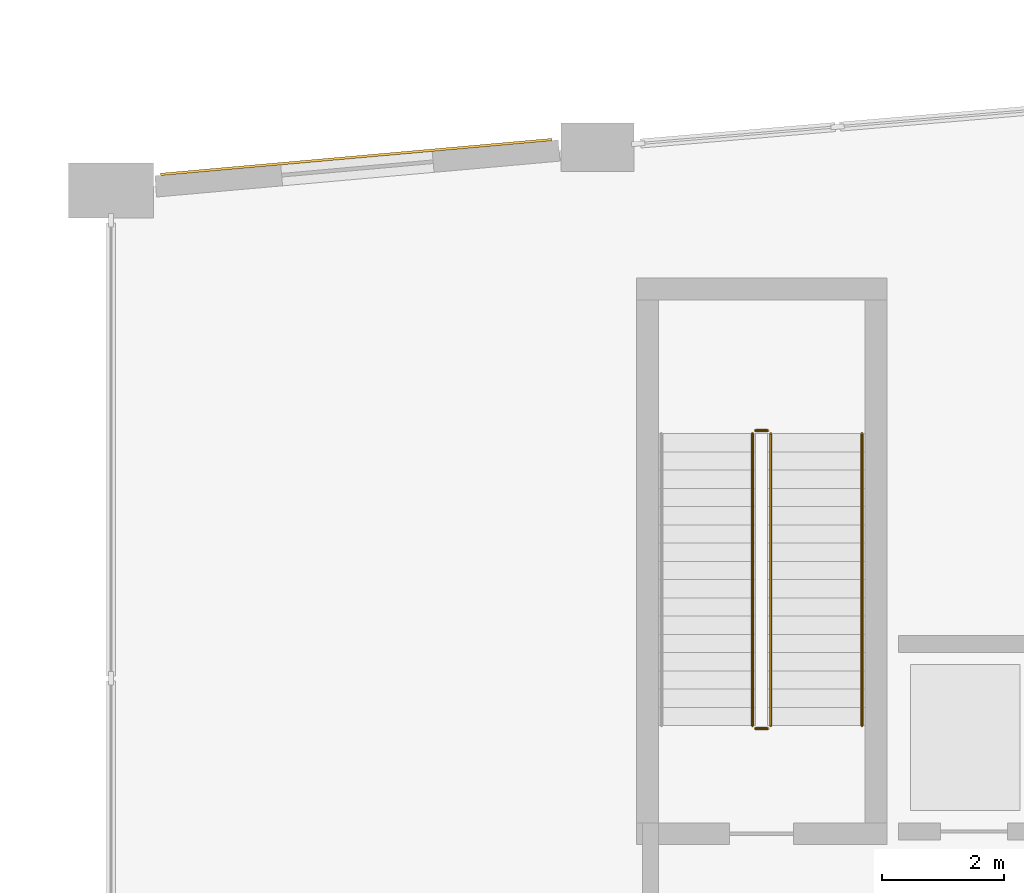
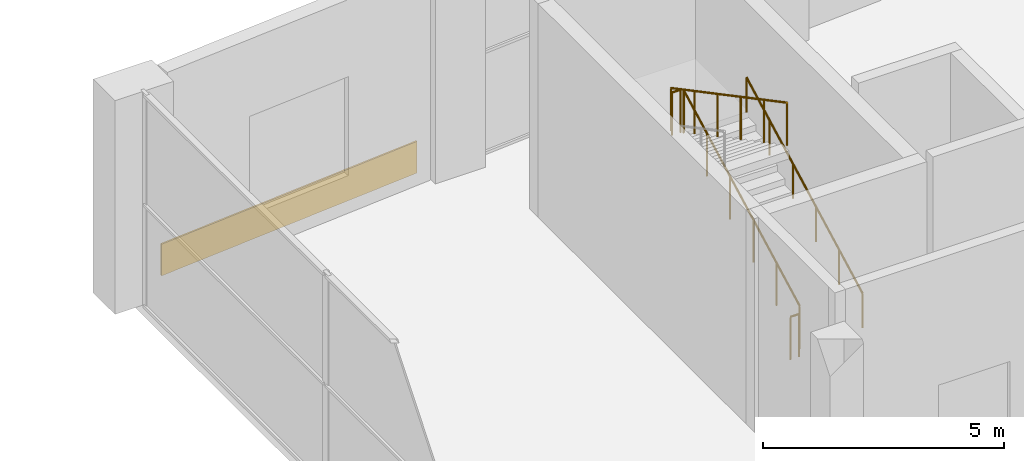
# One storey, part 76 of 86: 5 railings, 1 covering.
"""IFC4 building model written with IfcOpenShell, lengths in metres."""

from ifc_helpers import new_model, si_unit, direction, frame, origin, origin_2d, place, context, subcontext, project, spatial, rectangle, circle, extrude, material, layer, layer_set, type_object, element, save


model = new_model("IFC4")

# Units and contexts
model_context = context("Model", 3, precision=1e-05, world=origin(), true_north=direction((0.0, 1.0)))
body_context = subcontext(model_context, "Body", "Model", "MODEL_VIEW")
ifc_project = project(units=[si_unit("LENGTHUNIT", "METRE"), si_unit("AREAUNIT", "SQUARE_METRE"), si_unit("VOLUMEUNIT", "CUBIC_METRE"), si_unit("PLANEANGLEUNIT", "RADIAN"), si_unit("MASSUNIT", "GRAM", prefix="KILO")], contexts=[model_context])

# Site, building, storey
site_placement = place(None, origin())
site = spatial("IfcSite", under=ifc_project, at=site_placement, CompositionType="ELEMENT")
building_placement = place(site_placement, origin())
building = spatial("IfcBuilding", under=site, at=building_placement, Name="Kenh Van Central Station", CompositionType="ELEMENT")
storey_placement = place(building_placement, origin())
storey = spatial("IfcBuildingStorey", under=building, at=storey_placement, Name="L00", CompositionType="ELEMENT", Elevation=0.0)

# Covering
ifc_material_1 = material(Name="Saigon buff sandstone cladding", Category="masonry")
ifc_layer = layer(ifc_material_1, 0.0400390625, Name="Saigon buff sandstone cladding")
ifc_layer_set = layer_set([ifc_layer], Name="Saigon buff sandstone cladding")
covering_type = type_object("IfcCoveringType", Name="COV-CLAD-BUFF", PredefinedType="CLADDING", material=ifc_layer_set)
covering_placement = place(storey_placement, frame((36.034912109375, 112.550048828125, 0.02001953125), z_axis=(0.0, 0.0, 1.0), x_axis=(-0.996061982987, -0.088659607754, 0.0)))
element("IfcCovering", 1, at=covering_placement, inside=storey, type_object=covering_type, Name="L00 facade cladding 001", PredefinedType="CLADDING", context=body_context, shape_type="SweptSolid", body=[
    extrude(rectangle(XDim=6.46142578125, YDim=0.0400390625, at=origin_2d()), origin(), (0.0, 0.0, 1.0), 0.800048828125),
])

# Railings
ifc_material_2 = material(Name="Champagne anodised aluminium", Category="aluminium")
railing_type_1 = type_object("IfcRailingType", Name="RAIL-CORE-GRD110", PredefinedType="GUARDRAIL", material=ifc_material_2)
railing_1_placement = place(storey_placement, frame((42.85009765625, 103.199951171875, 0.158935546875)))
element("IfcRailing", 2, at=railing_1_placement, inside=storey, type_object=railing_type_1, Name="L00 ST-07 stair guard 1", PredefinedType="GUARDRAIL", context=body_context, shape_type="SweptSolid", body=[
    extrude(circle(Radius=0.02392578125, at=origin_2d()), frame((0.0, 0.0, 1.076171875), z_axis=(0.0, 0.883802130504, 0.467860870469), x_axis=(-1.0, 0.0, 0.0)), (0.0, 0.0, 1.0), 5.43115234375),
    extrude(circle(Radius=0.02099609375, at=origin_2d()), origin(), (0.0, 0.0, 1.0), 1.052001953125),
    extrude(circle(Radius=0.02099609375, at=origin_2d()), frame((0.0, 0.9599609375, 0.50830078125)), (0.0, 0.0, 1.0), 1.052001953125),
    extrude(circle(Radius=0.02099609375, at=origin_2d()), frame((0.0, 1.919921875, 1.016357421875)), (0.0, 0.0, 1.0), 1.052001953125),
    extrude(circle(Radius=0.02099609375, at=origin_2d()), frame((0.0, 2.880126953125, 1.524658203125)), (0.0, 0.0, 1.0), 1.052001953125),
    extrude(circle(Radius=0.02099609375, at=origin_2d()), frame((0.0, 3.840087890625, 2.03271484375)), (0.0, 0.0, 1.0), 1.052001953125),
    extrude(circle(Radius=0.02099609375, at=origin_2d()), frame((0.0, 4.800048828125, 2.541015625)), (0.0, 0.0, 1.0), 1.052001953125),
])
railing_2_placement = place(storey_placement, frame((42.800048828125, 108.050048828125, 2.699951171875)))
element("IfcRailing", 3, at=railing_2_placement, inside=storey, type_object=railing_type_1, Name="L00 ST-07 stair guard 2", PredefinedType="GUARDRAIL", context=body_context, shape_type="SweptSolid", body=[
    extrude(circle(Radius=0.02392578125, at=origin_2d()), frame((0.0, 0.0, 1.076171875), z_axis=(-1.0, 0.0, 0.0), x_axis=(0.0, -1.0, 0.0)), (0.0, 0.0, 1.0), 0.199951171875),
    extrude(circle(Radius=0.02099609375, at=origin_2d()), origin(), (0.0, 0.0, 1.0), 1.052001953125),
    extrude(circle(Radius=0.02099609375, at=origin_2d()), frame((-0.199951171875, 0.0, 0.0)), (0.0, 0.0, 1.0), 1.052001953125),
])
railing_3_placement = place(storey_placement, frame((42.550048828125, 108.0, 2.85888671875)))
element("IfcRailing", 4, at=railing_3_placement, inside=storey, type_object=railing_type_1, Name="L00 ST-07 stair guard 3", PredefinedType="GUARDRAIL", context=body_context, shape_type="SweptSolid", body=[
    extrude(circle(Radius=0.02392578125, at=origin_2d()), frame((0.0, 0.0, 1.076171875), z_axis=(0.0, -0.883802130504, 0.467860870469), x_axis=(1.0, 0.0, 0.0)), (0.0, 0.0, 1.0), 5.43115234375),
    extrude(circle(Radius=0.02099609375, at=origin_2d()), origin(), (0.0, 0.0, 1.0), 1.052001953125),
    extrude(circle(Radius=0.02099609375, at=origin_2d()), frame((0.0, -0.9599609375, 0.50830078125)), (0.0, 0.0, 1.0), 1.052001953125),
    extrude(circle(Radius=0.02099609375, at=origin_2d()), frame((0.0, -1.919921875, 1.016357421875)), (0.0, 0.0, 1.0), 1.052001953125),
    extrude(circle(Radius=0.02099609375, at=origin_2d()), frame((0.0, -2.880126953125, 1.524658203125)), (0.0, 0.0, 1.0), 1.052001953125),
    extrude(circle(Radius=0.02099609375, at=origin_2d()), frame((0.0, -3.840087890625, 2.03271484375)), (0.0, 0.0, 1.0), 1.052001953125),
    extrude(circle(Radius=0.02099609375, at=origin_2d()), frame((0.0, -4.800048828125, 2.541015625)), (0.0, 0.0, 1.0), 1.052001953125),
])
railing_4_placement = place(storey_placement, frame((42.800048828125, 103.14990234375, 0.0)))
element("IfcRailing", 5, at=railing_4_placement, inside=storey, type_object=railing_type_1, Name="L00 ST-07 stair guard 4", PredefinedType="GUARDRAIL", context=body_context, shape_type="SweptSolid", body=[
    extrude(circle(Radius=0.02392578125, at=origin_2d()), frame((0.0, 0.0, 1.076171875), z_axis=(-1.0, 0.0, 0.0), x_axis=(0.0, -1.0, 0.0)), (0.0, 0.0, 1.0), 0.199951171875),
    extrude(circle(Radius=0.02099609375, at=origin_2d()), origin(), (0.0, 0.0, 1.0), 1.052001953125),
    extrude(circle(Radius=0.02099609375, at=origin_2d()), frame((-0.199951171875, 0.0, 0.0)), (0.0, 0.0, 1.0), 1.052001953125),
])
railing_type_2 = type_object("IfcRailingType", Name="RAIL-CORE-HND90", PredefinedType="HANDRAIL", material=ifc_material_2)
railing_5_placement = place(storey_placement, frame((44.35009765625, 103.199951171875, 0.158935546875)))
element("IfcRailing", 6, at=railing_5_placement, inside=storey, type_object=railing_type_2, Name="L00 ST-07 stair handrail 1", PredefinedType="HANDRAIL", context=body_context, shape_type="SweptSolid", body=[
    extrude(circle(Radius=0.02392578125, at=origin_2d()), frame((0.0, 0.0, 0.8759765625), z_axis=(0.0, 0.883802130504, 0.467860870469), x_axis=(-1.0, 0.0, 0.0)), (0.0, 0.0, 1.0), 5.43115234375),
    extrude(circle(Radius=0.02099609375, at=origin_2d()), origin(), (0.0, 0.0, 1.0), 0.851806640625),
    extrude(circle(Radius=0.02099609375, at=origin_2d()), frame((0.0, 0.9599609375, 0.50830078125)), (0.0, 0.0, 1.0), 0.851806640625),
    extrude(circle(Radius=0.02099609375, at=origin_2d()), frame((0.0, 1.919921875, 1.016357421875)), (0.0, 0.0, 1.0), 0.851806640625),
    extrude(circle(Radius=0.02099609375, at=origin_2d()), frame((0.0, 2.880126953125, 1.524658203125)), (0.0, 0.0, 1.0), 0.851806640625),
    extrude(circle(Radius=0.02099609375, at=origin_2d()), frame((0.0, 3.840087890625, 2.03271484375)), (0.0, 0.0, 1.0), 0.851806640625),
    extrude(circle(Radius=0.02099609375, at=origin_2d()), frame((0.0, 4.800048828125, 2.541015625)), (0.0, 0.0, 1.0), 0.851806640625),
])

save(model, "model.ifc")
